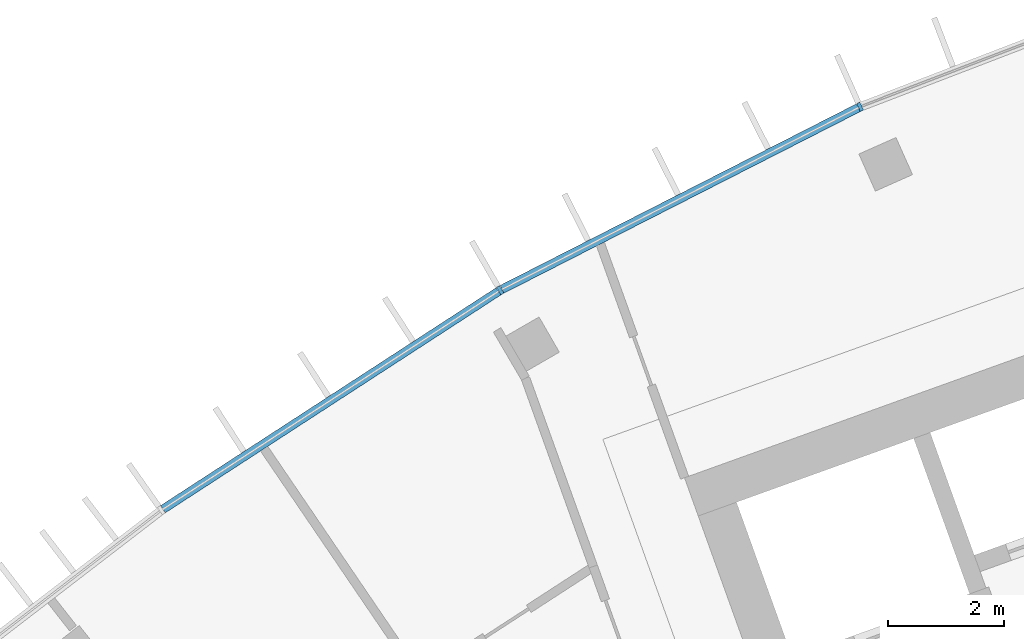
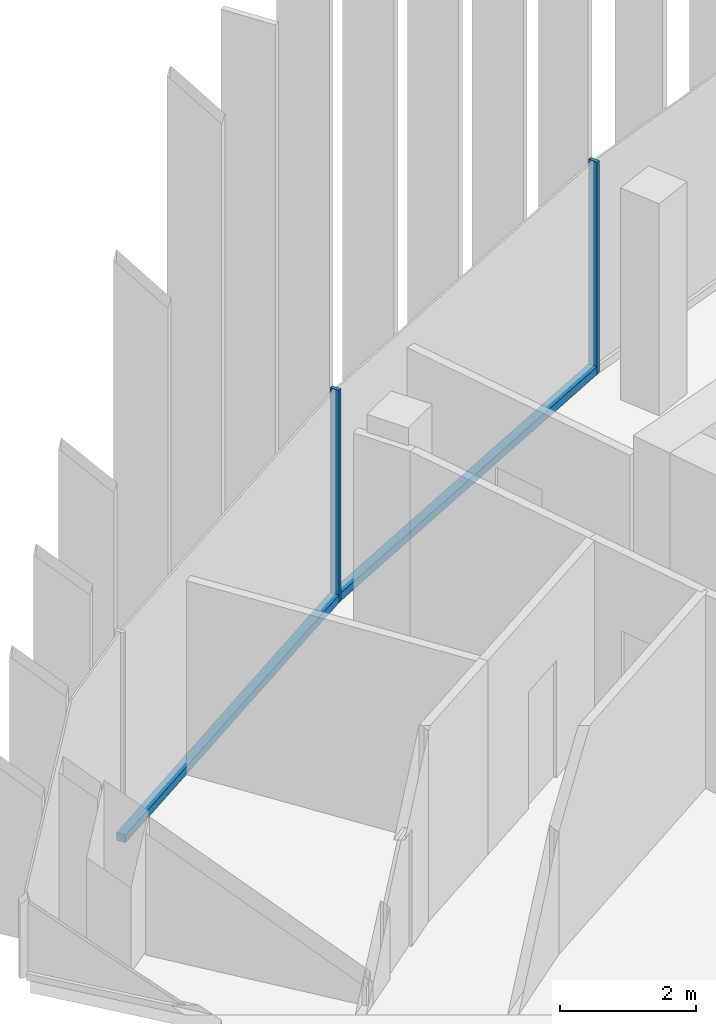
# One storey, part 4 of 18: 4 members, 1 element without a shape of its own.
"""IFC4 building model written with IfcOpenShell, lengths in metres."""

from ifc_helpers import new_model, si_unit, direction, frame, origin, origin_2d, place, context, subcontext, project, spatial, rectangle, extrude, material, layer, layer_set, material_profile, profile_set, type_object, element, aggregate, save


model = new_model("IFC4")

# Units and contexts
model_context = context("Model", 3, precision=1e-05, world=origin(), true_north=direction((0.0, 1.0)))
body_context = subcontext(model_context, "Body", "Model", "MODEL_VIEW")
ifc_project = project(units=[si_unit("LENGTHUNIT", "METRE"), si_unit("AREAUNIT", "SQUARE_METRE"), si_unit("VOLUMEUNIT", "CUBIC_METRE"), si_unit("PLANEANGLEUNIT", "RADIAN"), si_unit("MASSUNIT", "GRAM", prefix="KILO")], contexts=[model_context])

# Site, building, storey
site_placement = place(None, origin())
site = spatial("IfcSite", under=ifc_project, at=site_placement, CompositionType="ELEMENT")
building_placement = place(site_placement, origin())
building = spatial("IfcBuilding", under=site, at=building_placement, Name="Stone Belt Terrace Tower", CompositionType="ELEMENT")
storey_placement = place(building_placement, frame((0.0, 0.0, 269.39990234375)))
storey = spatial("IfcBuildingStorey", under=building, at=storey_placement, Name="L65", CompositionType="ELEMENT", Elevation=269.39990234375)

# Curtain wall, members
ifc_material = material(Name="Aluminium 6063-T6 anodised frame", Category="aluminium")
ifc_layer = layer(ifc_material, 0.14990234375)
ifc_layer_set = layer_set([ifc_layer], Name="CW-A unitised convex-face curtain wall")
curtain_wall_type = type_object("IfcCurtainWallType", Name="CW-A unitised convex-face curtain wall", PredefinedType="NOTDEFINED", material=ifc_layer_set)
curtain_wall_placement = place(storey_placement, origin())
curtain_wall = element("IfcCurtainWall", 1, at=curtain_wall_placement, inside=storey, type_object=curtain_wall_type, Name="CW-A convex face L65", PredefinedType="NOTDEFINED")
ifc_material_profile_1 = material_profile(ifc_material, rectangle(XDim=0.14990234375, YDim=0.06005859375, at=origin_2d()), Name="Aluminium 6063-T6 60x150")
ifc_profile_set_1 = profile_set([ifc_material_profile_1], Name="Aluminium 6063-T6 anodised frame")
member_type_1 = type_object("IfcMemberType", Name="CW-A mullion 60 x 150", PredefinedType="MULLION", material=ifc_profile_set_1)
member_1_placement = place(storey_placement, frame((-27.07861328125, 60.8193359375, 0.0), z_axis=(0.0, 0.0, 1.0), x_axis=(0.406736643076, -0.913545457643, 0.0)))
member_1 = element("IfcMember", 2, at=member_1_placement, type_object=member_type_1, Name="CW-A mullion 12", PredefinedType="MULLION", context=body_context, shape_type="SweptSolid", body=[
    extrude(rectangle(XDim=0.14990234375, YDim=0.06005859375, at=origin_2d()), origin(), (0.0, 0.0, 1.0), 3.800048828125),
])
member_2_placement = place(storey_placement, frame((-33.28759765625, 57.65576171875, 0.0), z_axis=(0.0, 0.0, 1.0), x_axis=(0.5, -0.866025403784, 0.0)))
member_2 = element("IfcMember", 3, at=member_2_placement, type_object=member_type_1, Name="CW-A mullion 13", PredefinedType="MULLION", context=body_context, shape_type="SweptSolid", body=[
    extrude(rectangle(XDim=0.14990234375, YDim=0.06005859375, at=origin_2d()), origin(), (0.0, 0.0, 1.0), 3.800048828125),
])
ifc_material_profile_2 = material_profile(ifc_material, rectangle(XDim=0.14990234375, YDim=0.139892578125, at=origin_2d()), Name="Aluminium 6063-T6 150x140")
ifc_profile_set_2 = profile_set([ifc_material_profile_2], Name="Aluminium 6063-T6 anodised frame")
member_type_2 = type_object("IfcMemberType", Name="CW-A transom 140 x 150", PredefinedType="USERDEFINED", material=ifc_profile_set_2)
member_3_placement = place(storey_placement, frame((-27.108642578125, 60.803955078125, 0.070068359375), z_axis=(-0.891012226264, -0.453979308613, 0.0), x_axis=(0.453979308613, -0.891012226264, 0.0)))
member_3 = element("IfcMember", 4, at=member_3_placement, type_object=member_type_2, Name="CW-A transom 12.1", ObjectType="TRANSOM", PredefinedType="USERDEFINED", context=body_context, shape_type="SweptSolid", body=[
    extrude(rectangle(XDim=0.14990234375, YDim=0.139892578125, at=origin_2d()), origin(), (0.0, 0.0, 1.0), 6.90087890625),
])
member_4_placement = place(storey_placement, frame((-33.31591796875, 57.63720703125, 0.070068359375), z_axis=(-0.83868440714, -0.544617723931, 0.0), x_axis=(0.544617723931, -0.83868440714, 0.0)))
member_4 = element("IfcMember", 5, at=member_4_placement, type_object=member_type_2, Name="CW-A transom 13.1", ObjectType="TRANSOM", PredefinedType="USERDEFINED", context=body_context, shape_type="SweptSolid", body=[
    extrude(rectangle(XDim=0.14990234375, YDim=0.139892578125, at=origin_2d()), origin(), (0.0, 0.0, 1.0), 6.90087890625),
])
aggregate(curtain_wall, [member_1, member_2, member_3, member_4])

save(model, "model.ifc")
